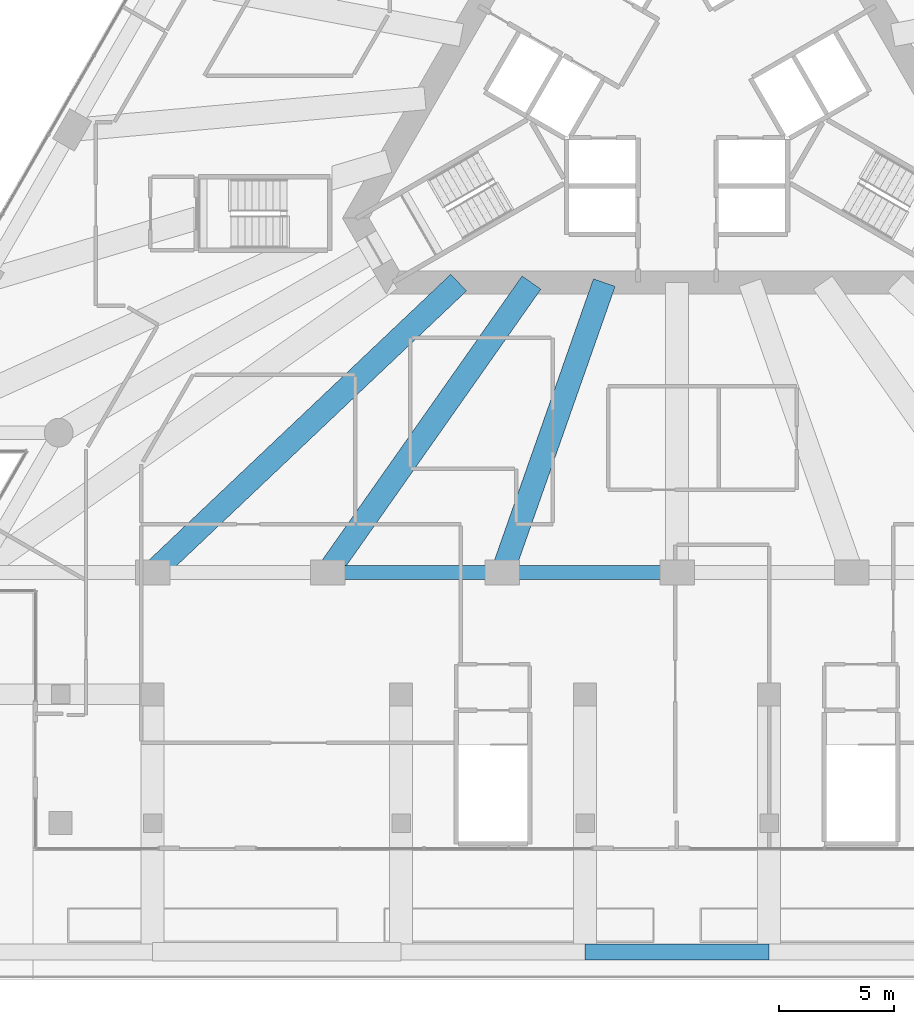
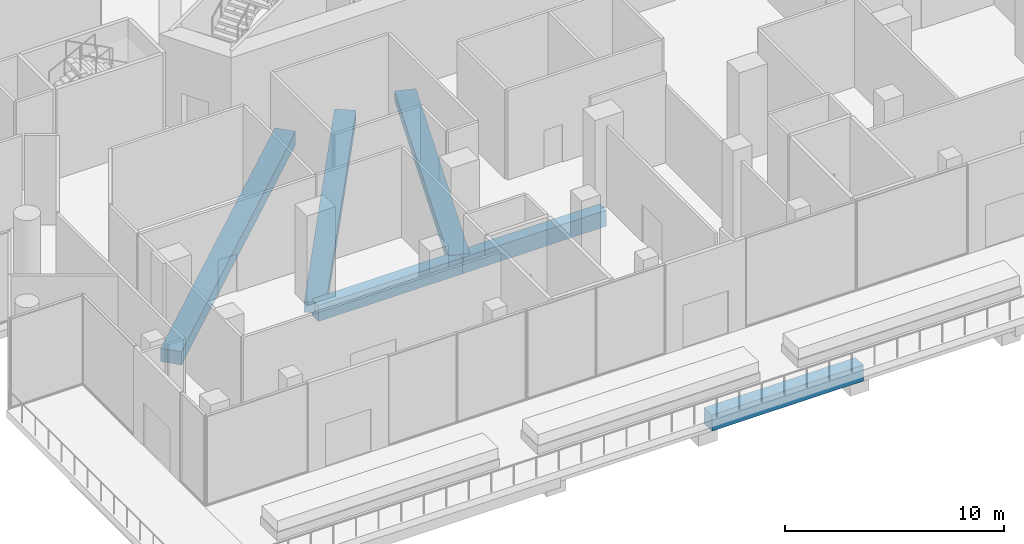
# One storey, part 5 of 29: 6 beams.
"""IFC4 building model written with IfcOpenShell, lengths in metres."""

from ifc_helpers import new_model, si_unit, direction, frame, origin, origin_2d, place, context, subcontext, project, spatial, rectangle, extrude, material, material_profile, profile_set, type_object, element, save


model = new_model("IFC4")

# Units and contexts
model_context = context("Model", 3, precision=1e-05, world=origin(), true_north=direction((0.0, 1.0)))
body_context = subcontext(model_context, "Body", "Model", "MODEL_VIEW")
ifc_project = project(units=[si_unit("LENGTHUNIT", "METRE"), si_unit("AREAUNIT", "SQUARE_METRE"), si_unit("VOLUMEUNIT", "CUBIC_METRE"), si_unit("PLANEANGLEUNIT", "RADIAN"), si_unit("MASSUNIT", "GRAM", prefix="KILO")], contexts=[model_context])

# Site, building, storey
site_placement = place(None, origin())
site = spatial("IfcSite", under=ifc_project, at=site_placement, CompositionType="ELEMENT")
building_placement = place(site_placement, origin())
building = spatial("IfcBuilding", under=site, at=building_placement, Name="Triada Interchange Tower", CompositionType="ELEMENT")
storey_placement = place(building_placement, frame((0.0, 0.0, 19.89990234375)))
storey = spatial("IfcBuildingStorey", under=building, at=storey_placement, Name="L03", CompositionType="ELEMENT", Elevation=19.89990234375)

# Beams
ifc_material_1 = material(Name="Concrete C50/60", Category="concrete")
ifc_material_profile_1 = material_profile(ifc_material_1, rectangle(XDim=1.0, YDim=0.550048828125, at=origin_2d()), Name="RC 1000x550")
ifc_profile_set_1 = profile_set([ifc_material_profile_1], Name="Concrete C50/60")
beam_type_1 = type_object("IfcBeamType", Name="Radial band beam P RC 1000x550", PredefinedType="BEAM", material=ifc_profile_set_1)
beam_1_placement = place(storey_placement, frame((-7.59912109375, -21.60009765625, -0.6748046875), z_axis=(0.331888742463, 0.943318537201, 0.0), x_axis=(-0.943318537201, 0.331888742463, 0.0)))
element("IfcBeam", 1, at=beam_1_placement, inside=storey, type_object=beam_type_1, Name="Radial band beam BP14 L03", PredefinedType="BEAM", context=body_context, shape_type="SweptSolid", body=[
    extrude(rectangle(XDim=1.0, YDim=0.550048828125, at=origin_2d()), origin(), (0.0, 0.0, 1.0), 13.357177734375),
])
ifc_material_profile_2 = material_profile(ifc_material_1, rectangle(XDim=1.0, YDim=0.60009765625, at=origin_2d()), Name="RC 1000x600")
ifc_profile_set_2 = profile_set([ifc_material_profile_2], Name="Concrete C50/60")
beam_type_2 = type_object("IfcBeamType", Name="Radial band beam P RC 1000x600", PredefinedType="BEAM", material=ifc_profile_set_2)
beam_2_placement = place(storey_placement, frame((-15.197998046875, -21.60009765625, -0.699951171875), z_axis=(0.575460041142, 0.81782989738, 0.0), x_axis=(-0.81782989738, 0.575460041142, 0.0)))
element("IfcBeam", 2, at=beam_2_placement, inside=storey, type_object=beam_type_2, Name="Radial band beam BP13 L03", PredefinedType="BEAM", context=body_context, shape_type="SweptSolid", body=[
    extrude(rectangle(XDim=1.0, YDim=0.60009765625, at=origin_2d()), origin(), (0.0, 0.0, 1.0), 15.40673828125),
])
ifc_material_profile_3 = material_profile(ifc_material_1, rectangle(XDim=1.0, YDim=0.75, at=origin_2d()), Name="RC 1000x750")
ifc_profile_set_3 = profile_set([ifc_material_profile_3], Name="Concrete C50/60")
beam_type_3 = type_object("IfcBeamType", Name="Radial band beam P RC 1000x750", PredefinedType="BEAM", material=ifc_profile_set_3)
beam_3_placement = place(storey_placement, frame((-22.798095703125, -21.60009765625, -0.77490234375), z_axis=(0.725926069578, 0.687772739723, 0.0), x_axis=(-0.687772739723, 0.725926069578, 0.0)))
element("IfcBeam", 3, at=beam_3_placement, inside=storey, type_object=beam_type_3, Name="Radial band beam BP12 L03", PredefinedType="BEAM", context=body_context, shape_type="SweptSolid", body=[
    extrude(rectangle(XDim=1.0, YDim=0.75, at=origin_2d()), origin(), (0.0, 0.0, 1.0), 18.320068359375),
])
ifc_material_profile_4 = material_profile(ifc_material_1, rectangle(XDim=0.60009765625, YDim=0.89990234375, at=origin_2d()), Name="RC 600x900")
ifc_profile_set_4 = profile_set([ifc_material_profile_4], Name="Concrete C50/60")
beam_type_4 = type_object("IfcBeamType", Name="Spandrel beam P RC 600x900", PredefinedType="BEAM", material=ifc_profile_set_4)
beam_4_placement = place(storey_placement, frame((-15.197998046875, -21.60009765625, -0.849853515625), z_axis=(1.0, 0.0, 0.0), x_axis=(0.0, 1.0, 0.0)))
element("IfcBeam", 4, at=beam_4_placement, inside=storey, type_object=beam_type_4, Name="Spandrel beam EP13 L03", PredefinedType="BEAM", context=body_context, shape_type="SweptSolid", body=[
    extrude(rectangle(XDim=0.60009765625, YDim=0.89990234375, at=origin_2d()), origin(), (0.0, 0.0, 1.0), 7.598876953125),
])
beam_5_placement = place(storey_placement, frame((-7.59912109375, -21.60009765625, -0.849853515625), z_axis=(1.0, 0.0, 0.0), x_axis=(0.0, 1.0, 0.0)))
element("IfcBeam", 5, at=beam_5_placement, inside=storey, type_object=beam_type_4, Name="Spandrel beam EP14 L03", PredefinedType="BEAM", context=body_context, shape_type="SweptSolid", body=[
    extrude(rectangle(XDim=0.60009765625, YDim=0.89990234375, at=origin_2d()), origin(), (0.0, 0.0, 1.0), 7.59912109375),
])
ifc_material_2 = material(Name="Concrete C40/50", Category="concrete")
ifc_material_profile_5 = material_profile(ifc_material_2, rectangle(XDim=0.699951171875, YDim=0.89990234375, at=origin_2d()), Name="RC 700x900")
ifc_profile_set_5 = profile_set([ifc_material_profile_5], Name="Concrete C40/50")
beam_type_5 = type_object("IfcBeamType", Name="Terrace beam RC 700x900", PredefinedType="BEAM", material=ifc_profile_set_5)
beam_6_placement = place(storey_placement, frame((-4.0, -38.10009765625, -0.849853515625), z_axis=(1.0, 0.0, 0.0), x_axis=(0.0, 1.0, 0.0)))
element("IfcBeam", 6, at=beam_6_placement, inside=storey, type_object=beam_type_5, Name="Terrace beam TE07 L03", PredefinedType="BEAM", context=body_context, shape_type="SweptSolid", body=[
    extrude(rectangle(XDim=0.699951171875, YDim=0.89990234375, at=origin_2d()), origin(), (0.0, 0.0, 1.0), 8.0),
])

save(model, "model.ifc")
